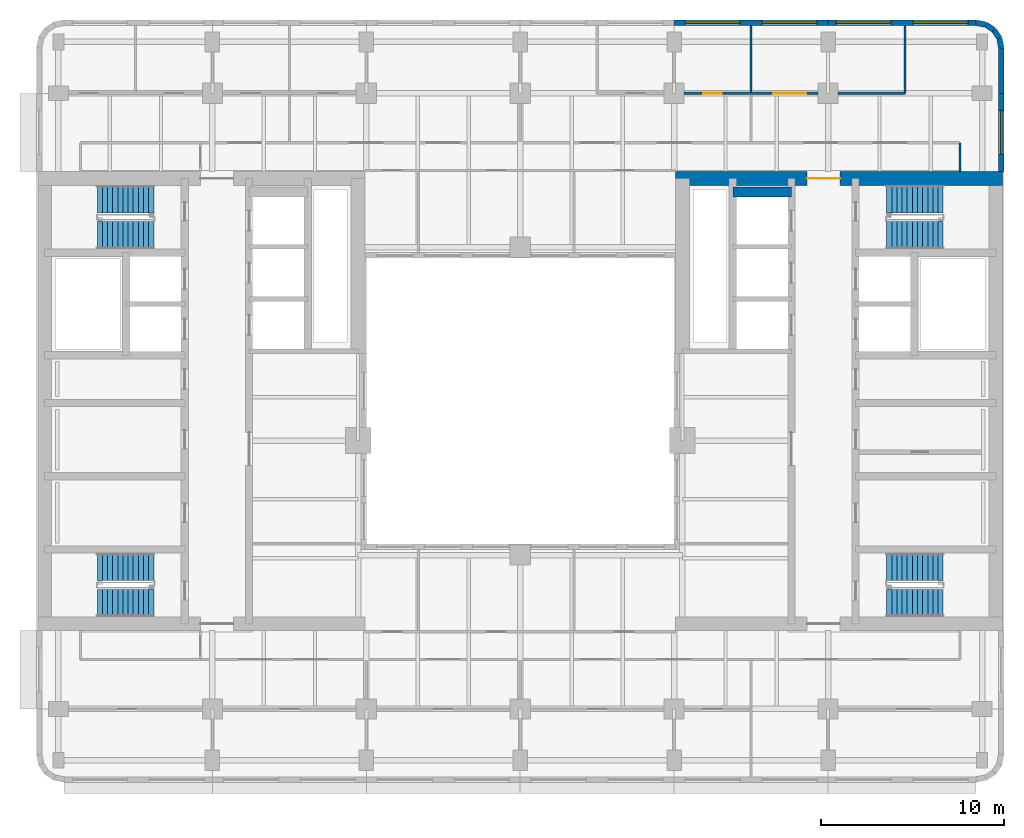
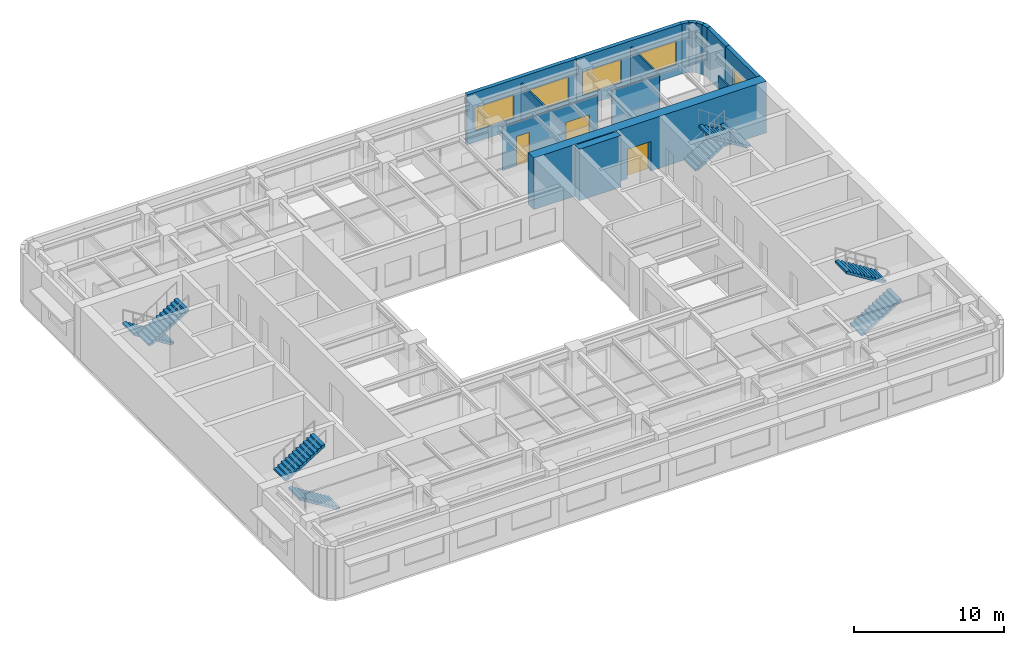
# One storey, part 8 of 11: 15 walls, 8 stair flights, 5 windows, 3 doors, 8 openings, 4 elements without a shape of their own.
"""IFC4 building model written with IfcOpenShell, lengths in metres."""

from ifc_helpers import new_model, si_unit, direction, frame, frame_2d, origin, place, context, subcontext, project, spatial, polyline, rectangle, outline, extrude, material, layer, layer_set, type_object, element, fill, aggregate, save


model = new_model("IFC4")

# Units and contexts
model_context = context("Model", 3, precision=1e-05, world=origin(), true_north=direction((0.0, 1.0)))
body_context = subcontext(model_context, "Body", "Model", "MODEL_VIEW")
ifc_project = project(units=[si_unit("LENGTHUNIT", "METRE"), si_unit("AREAUNIT", "SQUARE_METRE"), si_unit("VOLUMEUNIT", "CUBIC_METRE"), si_unit("PLANEANGLEUNIT", "RADIAN"), si_unit("MASSUNIT", "GRAM", prefix="KILO")], contexts=[model_context])

# Site, building, storey
site_placement = place(None, origin())
site = spatial("IfcSite", under=ifc_project, at=site_placement, CompositionType="ELEMENT")
building_placement = place(site_placement, origin())
building = spatial("IfcBuilding", under=site, at=building_placement, Name="Claustro Exchange Tower", CompositionType="ELEMENT")
storey_placement = place(building_placement, frame((0.0, 0.0, 219.60009765625)))
storey = spatial("IfcBuildingStorey", under=building, at=storey_placement, Name="L50", CompositionType="ELEMENT", Elevation=219.60009765625)

# Wall, openings, doors
ifc_material_1 = material(Name="Laminated glass in aluminium frame", Category="aluminium")
ifc_layer_1 = layer(ifc_material_1, 0.1201171875)
ifc_layer_set_1 = layer_set([ifc_layer_1], Name="Laminated glass in aluminium frame")
wall_type_1 = type_object("IfcWallType", Name="P2 120 glazed partition", PredefinedType="PARTITIONING", material=ifc_layer_set_1)
wall_1_placement = place(storey_placement, frame((34.14892578125, 42.0, 0.0), z_axis=(0.0, 0.0, 1.0), x_axis=(1.0, 0.0, 0.0)))
wall_1 = element("IfcWall", 1, at=wall_1_placement, inside=storey, type_object=wall_type_1, Name="Partition P2 L50", PredefinedType="PARTITIONING", context=body_context, shape_type="SweptSolid", body=[
    extrude(rectangle(XDim=7.302001953125, YDim=0.1201171875, at=frame_2d((3.65087890625, 0.0))), origin(), (0.0, 0.0, 1.0), 3.5498046875),
])
opening_1_placement = place(wall_1_placement, frame((1.051025390625, 0.0, 0.0)))
opening_1 = element("IfcOpeningElement", 2, at=opening_1_placement, cuts=wall_1, Name="Opening D7", PredefinedType="OPENING", context=body_context, shape_type="SweptSolid", body=[
    extrude(rectangle(XDim=1.0, YDim=2.39990234375, at=frame_2d((0.5, 1.199951171875))), frame((0.0, 0.070068359375, 0.0), z_axis=(0.0, -1.0, 0.0), x_axis=(1.0, 0.0, 0.0)), (0.0, 0.0, 1.0), 0.14013671875),
])
opening_2_placement = place(wall_1_placement, frame((4.85107421875, 0.0, 0.0)))
opening_2 = element("IfcOpeningElement", 3, at=opening_2_placement, cuts=wall_1, Name="Opening D2", PredefinedType="OPENING", context=body_context, shape_type="SweptSolid", body=[
    extrude(rectangle(XDim=1.800048828125, YDim=2.199951171875, at=frame_2d((0.89990234375, 1.10009765625))), frame((0.0, 0.070068359375, 0.0), z_axis=(0.0, -1.0, 0.0), x_axis=(1.0, 0.0, 0.0)), (0.0, 0.0, 1.0), 0.14013671875),
])
ifc_material_2 = material(Name="Timber door, oak veneer", Category="wood")
door_type_1 = type_object("IfcDoorType", Name="D2 1800 x 2200 double door", OperationType="DOUBLE_DOOR_SINGLE_SWING", PredefinedType="DOOR", material=ifc_material_2)
door_1_placement = place(opening_2_placement, origin())
door_1 = element("IfcDoor", 4, at=door_1_placement, inside=storey, type_object=door_type_1, Name="Double door D2 L50", OperationType="DOUBLE_DOOR_SINGLE_SWING", OverallHeight=2.199951171875, OverallWidth=1.800048828125, PredefinedType="DOOR", context=body_context, shape_type="SweptSolid", body=[
    extrude(rectangle(XDim=1.800048828125, YDim=2.199951171875, at=frame_2d((0.89990234375, 1.10009765625))), frame((0.0, 0.02490234375, 0.0), z_axis=(0.0, -1.0, 0.0), x_axis=(1.0, 0.0, 0.0)), (0.0, 0.0, 1.0), 0.050048828125),
])
fill(opening_2, door_1)
ifc_material_3 = material(Name="Glass door in aluminium frame", Category="aluminium")
door_type_2 = type_object("IfcDoorType", Name="D7 1000 x 2400 glazed door", OperationType="SINGLE_SWING_LEFT", PredefinedType="DOOR", material=ifc_material_3)
door_2_placement = place(opening_1_placement, origin())
door_2 = element("IfcDoor", 5, at=door_2_placement, inside=storey, type_object=door_type_2, Name="Door D7 L50", OperationType="SINGLE_SWING_RIGHT", OverallHeight=2.39990234375, OverallWidth=1.0, PredefinedType="DOOR", context=body_context, shape_type="SweptSolid", body=[
    extrude(rectangle(XDim=1.0, YDim=2.39990234375, at=frame_2d((0.5, 1.199951171875))), frame((0.0, 0.02490234375, 0.0), z_axis=(0.0, -1.0, 0.0), x_axis=(1.0, 0.0, 0.0)), (0.0, 0.0, 1.0), 0.050048828125),
])
fill(opening_1, door_2)

# Walls
wall_2_placement = place(storey_placement, frame((42.549072265625, 42.0, 0.0), z_axis=(0.0, 0.0, 1.0), x_axis=(1.0, 0.0, 0.0)))
element("IfcWall", 6, at=wall_2_placement, inside=storey, type_object=wall_type_1, Name="Partition P2 L50", PredefinedType="PARTITIONING", context=body_context, shape_type="SweptSolid", body=[
    extrude(rectangle(XDim=3.65087890625, YDim=0.1201171875, at=frame_2d((1.825439453125, 0.0))), origin(), (0.0, 0.0, 1.0), 3.5498046875),
])
wall_3_placement = place(storey_placement, frame((37.800048828125, 42.05810546875, 0.0), z_axis=(0.0, 0.0, 1.0), x_axis=(0.0, 1.0, 0.0)))
element("IfcWall", 7, at=wall_3_placement, inside=storey, type_object=wall_type_1, Name="Partition P2 L50", PredefinedType="PARTITIONING", context=body_context, shape_type="SweptSolid", body=[
    extrude(rectangle(XDim=3.643798828125, YDim=0.1201171875, at=frame_2d((1.82177734375, 0.0))), origin(), (0.0, 0.0, 1.0), 3.5498046875),
])
wall_4_placement = place(storey_placement, frame((46.199951171875, 42.0, 0.0), z_axis=(0.0, 0.0, 1.0), x_axis=(0.0, 1.0, 0.0)))
element("IfcWall", 8, at=wall_4_placement, inside=storey, type_object=wall_type_1, Name="Partition P2 L50", PredefinedType="PARTITIONING", context=body_context, shape_type="SweptSolid", body=[
    extrude(rectangle(XDim=3.701904296875, YDim=0.1201171875, at=frame_2d((1.85107421875, 0.0))), origin(), (0.0, 0.0, 1.0), 3.5498046875),
])
wall_5_placement = place(storey_placement, frame((49.199951171875, 37.72412109375, 0.0), z_axis=(0.0, 0.0, 1.0), x_axis=(0.0, 1.0, 0.0)))
element("IfcWall", 9, at=wall_5_placement, inside=storey, type_object=wall_type_1, Name="Partition P2 L50", PredefinedType="PARTITIONING", context=body_context, shape_type="SweptSolid", body=[
    extrude(rectangle(XDim=1.575927734375, YDim=0.1201171875, at=frame_2d((0.7880859375, 0.0))), origin(), (0.0, 0.0, 1.0), 4.0498046875),
])

# Wall, openings, windows
ifc_material_4 = material(Name="Concrete HA-40 (C40/50), precast, white cement, acid-etched", Category="concrete")
ifc_layer_2 = layer(ifc_material_4, 0.300048828125)
ifc_layer_set_2 = layer_set([ifc_layer_2], Name="Concrete HA-40 (C40/50), precast, white cement, acid-etched")
wall_type_2 = type_object("IfcWallType", Name="PC1 300 precast concrete pier panel", PredefinedType="SOLIDWALL", material=ifc_layer_set_2)
wall_6_placement = place(storey_placement, frame((33.60009765625, 45.85009765625, 0.0), z_axis=(0.0, 0.0, 1.0), x_axis=(1.0, 0.0, 0.0)))
wall_6 = element("IfcWall", 10, at=wall_6_placement, inside=storey, type_object=wall_type_2, Name="Precast pier panel PC1 L50", PredefinedType="SOLIDWALL", context=body_context, shape_type="SweptSolid", body=[
    extrude(rectangle(XDim=8.39990234375, YDim=0.300048828125, at=frame_2d((4.199951171875, 0.0))), origin(), (0.0, 0.0, 1.0), 4.0498046875),
])
opening_3_placement = place(wall_6_placement, frame((0.60009765625, 0.0, 0.89990234375)))
opening_3 = element("IfcOpeningElement", 11, at=opening_3_placement, cuts=wall_6, Name="Opening W1", PredefinedType="OPENING", context=body_context, shape_type="SweptSolid", body=[
    extrude(rectangle(XDim=3.0, YDim=1.89990234375, at=frame_2d((1.5, 0.949951171875))), frame((0.0, 0.159912109375, 0.0), z_axis=(0.0, -1.0, 0.0), x_axis=(1.0, 0.0, 0.0)), (0.0, 0.0, 1.0), 0.320068359375),
])
opening_4_placement = place(wall_6_placement, frame((4.800048828125, 0.0, 0.89990234375)))
opening_4 = element("IfcOpeningElement", 12, at=opening_4_placement, cuts=wall_6, Name="Opening W1", PredefinedType="OPENING", context=body_context, shape_type="SweptSolid", body=[
    extrude(rectangle(XDim=3.0, YDim=1.89990234375, at=frame_2d((1.5, 0.949951171875))), frame((0.0, 0.159912109375, 0.0), z_axis=(0.0, -1.0, 0.0), x_axis=(1.0, 0.0, 0.0)), (0.0, 0.0, 1.0), 0.320068359375),
])
ifc_material_5 = material(Name="Aluminium frame, clear double glazing", Category="aluminium")
window_type_1 = type_object("IfcWindowType", Name="W1 3000 x 1900 window", PartitioningType="SINGLE_PANEL", PredefinedType="WINDOW", material=ifc_material_5)
window_1_placement = place(opening_3_placement, origin())
window_1 = element("IfcWindow", 13, at=window_1_placement, inside=storey, type_object=window_type_1, Name="Window W1 L50", OverallHeight=1.89990234375, OverallWidth=3.0, PartitioningType="SINGLE_PANEL", PredefinedType="WINDOW", context=body_context, shape_type="SweptSolid", body=[
    extrude(rectangle(XDim=3.0, YDim=1.89990234375, at=frame_2d((1.5, 0.949951171875))), frame((0.0, 0.030029296875, 0.0), z_axis=(0.0, -1.0, 0.0), x_axis=(1.0, 0.0, 0.0)), (0.0, 0.0, 1.0), 0.06005859375),
])
fill(opening_3, window_1)
window_2_placement = place(opening_4_placement, origin())
window_2 = element("IfcWindow", 14, at=window_2_placement, inside=storey, type_object=window_type_1, Name="Window W1 L50", OverallHeight=1.89990234375, OverallWidth=3.0, PartitioningType="SINGLE_PANEL", PredefinedType="WINDOW", context=body_context, shape_type="SweptSolid", body=[
    extrude(rectangle(XDim=3.0, YDim=1.89990234375, at=frame_2d((1.5, 0.949951171875))), frame((0.0, 0.030029296875, 0.0), z_axis=(0.0, -1.0, 0.0), x_axis=(1.0, 0.0, 0.0)), (0.0, 0.0, 1.0), 0.06005859375),
])
fill(opening_4, window_2)

wall_7_placement = place(storey_placement, frame((42.0, 45.85009765625, 0.0), z_axis=(0.0, 0.0, 1.0), x_axis=(1.0, 0.0, 0.0)))
wall_7 = element("IfcWall", 15, at=wall_7_placement, inside=storey, type_object=wall_type_2, Name="Precast pier panel PC1 L50", PredefinedType="SOLIDWALL", context=body_context, shape_type="SweptSolid", body=[
    extrude(rectangle(XDim=8.085205078125, YDim=0.300048828125, at=frame_2d((4.04248046875, 0.0))), origin(), (0.0, 0.0, 1.0), 4.0498046875),
])
opening_5_placement = place(wall_7_placement, frame((0.442626953125, 0.0, 0.89990234375)))
opening_5 = element("IfcOpeningElement", 16, at=opening_5_placement, cuts=wall_7, Name="Opening W1", PredefinedType="OPENING", context=body_context, shape_type="SweptSolid", body=[
    extrude(rectangle(XDim=3.0, YDim=1.89990234375, at=frame_2d((1.5, 0.949951171875))), frame((0.0, 0.159912109375, 0.0), z_axis=(0.0, -1.0, 0.0), x_axis=(1.0, 0.0, 0.0)), (0.0, 0.0, 1.0), 0.320068359375),
])
opening_6_placement = place(wall_7_placement, frame((4.642578125, 0.0, 0.89990234375)))
opening_6 = element("IfcOpeningElement", 17, at=opening_6_placement, cuts=wall_7, Name="Opening W1", PredefinedType="OPENING", context=body_context, shape_type="SweptSolid", body=[
    extrude(rectangle(XDim=3.0, YDim=1.89990234375, at=frame_2d((1.5, 0.949951171875))), frame((0.0, 0.159912109375, 0.0), z_axis=(0.0, -1.0, 0.0), x_axis=(1.0, 0.0, 0.0)), (0.0, 0.0, 1.0), 0.320068359375),
])
window_3_placement = place(opening_5_placement, origin())
window_3 = element("IfcWindow", 18, at=window_3_placement, inside=storey, type_object=window_type_1, Name="Window W1 L50", OverallHeight=1.89990234375, OverallWidth=3.0, PartitioningType="SINGLE_PANEL", PredefinedType="WINDOW", context=body_context, shape_type="SweptSolid", body=[
    extrude(rectangle(XDim=3.0, YDim=1.89990234375, at=frame_2d((1.5, 0.949951171875))), frame((0.0, 0.030029296875, 0.0), z_axis=(0.0, -1.0, 0.0), x_axis=(1.0, 0.0, 0.0)), (0.0, 0.0, 1.0), 0.06005859375),
])
fill(opening_5, window_3)
window_4_placement = place(opening_6_placement, origin())
window_4 = element("IfcWindow", 19, at=window_4_placement, inside=storey, type_object=window_type_1, Name="Window W1 L50", OverallHeight=1.89990234375, OverallWidth=3.0, PartitioningType="SINGLE_PANEL", PredefinedType="WINDOW", context=body_context, shape_type="SweptSolid", body=[
    extrude(rectangle(XDim=3.0, YDim=1.89990234375, at=frame_2d((1.5, 0.949951171875))), frame((0.0, 0.030029296875, 0.0), z_axis=(0.0, -1.0, 0.0), x_axis=(1.0, 0.0, 0.0)), (0.0, 0.0, 1.0), 0.06005859375),
])
fill(opening_6, window_4)

# Walls
wall_8_placement = place(storey_placement, frame((50.085205078125, 45.85009765625, 0.0), z_axis=(0.0, 0.0, 1.0), x_axis=(0.980702050465, -0.1955082817, 0.0)))
element("IfcWall", 20, at=wall_8_placement, inside=storey, type_object=wall_type_2, Name="Precast pier panel PC1 L50", PredefinedType="SOLIDWALL", context=body_context, shape_type="SweptSolid", body=[
    extrude(rectangle(XDim=0.540771484375, YDim=0.300048828125, at=frame_2d((0.2705078125, 0.0))), origin(), (0.0, 0.0, 1.0), 4.0498046875),
])
wall_9_placement = place(storey_placement, frame((50.615478515625, 45.744384765625, 0.0), z_axis=(0.0, 0.0, 1.0), x_axis=(0.831692711774, -0.555236195849, 0.0)))
element("IfcWall", 21, at=wall_9_placement, inside=storey, type_object=wall_type_2, Name="Precast pier panel PC1 L50", PredefinedType="SOLIDWALL", context=body_context, shape_type="SweptSolid", body=[
    extrude(rectangle(XDim=0.525390625, YDim=0.300048828125, at=frame_2d((0.2626953125, 0.0))), origin(), (0.0, 0.0, 1.0), 4.0498046875),
])
wall_10_placement = place(storey_placement, frame((51.052490234375, 45.45263671875, 0.0), z_axis=(0.0, 0.0, 1.0), x_axis=(0.55534295404, -0.831621430339, 0.0)))
element("IfcWall", 22, at=wall_10_placement, inside=storey, type_object=wall_type_2, Name="Precast pier panel PC1 L50", PredefinedType="SOLIDWALL", context=body_context, shape_type="SweptSolid", body=[
    extrude(rectangle(XDim=0.52587890625, YDim=0.300048828125, at=frame_2d((0.262939453125, 0.0))), origin(), (0.0, 0.0, 1.0), 4.0498046875),
])
wall_11_placement = place(storey_placement, frame((51.344482421875, 45.015380859375, 0.0), z_axis=(0.0, 0.0, 1.0), x_axis=(0.195073962632, -0.980788534345, 0.0)))
element("IfcWall", 23, at=wall_11_placement, inside=storey, type_object=wall_type_2, Name="Precast pier panel PC1 L50", PredefinedType="SOLIDWALL", context=body_context, shape_type="SweptSolid", body=[
    extrude(rectangle(XDim=0.540771484375, YDim=0.300048828125, at=frame_2d((0.2705078125, 0.0))), origin(), (0.0, 0.0, 1.0), 4.0498046875),
])
wall_12_placement = place(storey_placement, frame((51.449951171875, 44.485107421875, 0.0), z_axis=(0.0, 0.0, 1.0), x_axis=(0.0, -1.0, 0.0)))
element("IfcWall", 24, at=wall_12_placement, inside=storey, type_object=wall_type_2, Name="Precast pier panel PC1 L50", PredefinedType="SOLIDWALL", context=body_context, shape_type="SweptSolid", body=[
    extrude(rectangle(XDim=2.485107421875, YDim=0.300048828125, at=frame_2d((1.24267578125, 0.0))), origin(), (0.0, 0.0, 1.0), 4.0498046875),
])

# Wall, opening, window
wall_13_placement = place(storey_placement, frame((51.449951171875, 42.0, 0.0), z_axis=(0.0, 0.0, 1.0), x_axis=(0.0, -1.0, 0.0)))
wall_13 = element("IfcWall", 25, at=wall_13_placement, inside=storey, type_object=wall_type_2, Name="Precast pier panel PC1 L50", PredefinedType="SOLIDWALL", context=body_context, shape_type="SweptSolid", body=[
    extrude(rectangle(XDim=4.27490234375, YDim=0.300048828125, at=frame_2d((2.137451171875, 0.0))), origin(), (0.0, 0.0, 1.0), 4.0498046875),
])
opening_7_placement = place(wall_13_placement, frame((0.9375, 0.0, 0.89990234375)))
opening_7 = element("IfcOpeningElement", 26, at=opening_7_placement, cuts=wall_13, Name="Opening W2", PredefinedType="OPENING", context=body_context, shape_type="SweptSolid", body=[
    extrude(rectangle(XDim=2.39990234375, YDim=1.89990234375, at=frame_2d((1.199951171875, 0.949951171875))), frame((0.0, 0.159912109375, 0.0), z_axis=(0.0, -1.0, 0.0), x_axis=(1.0, 0.0, 0.0)), (0.0, 0.0, 1.0), 0.320068359375),
])
ifc_material_6 = material(Name="Aluminium frame, clear double glazing", Category="aluminium")
window_type_2 = type_object("IfcWindowType", Name="W2 2400 x 1900 window", PartitioningType="SINGLE_PANEL", PredefinedType="WINDOW", material=ifc_material_6)
window_5_placement = place(opening_7_placement, origin())
window_5 = element("IfcWindow", 27, at=window_5_placement, inside=storey, type_object=window_type_2, Name="Window W2 L50", OverallHeight=1.89990234375, OverallWidth=2.39990234375, PartitioningType="SINGLE_PANEL", PredefinedType="WINDOW", context=body_context, shape_type="SweptSolid", body=[
    extrude(rectangle(XDim=2.39990234375, YDim=1.89990234375, at=frame_2d((1.199951171875, 0.949951171875))), frame((0.0, 0.030029296875, 0.0), z_axis=(0.0, -1.0, 0.0), x_axis=(1.0, 0.0, 0.0)), (0.0, 0.0, 1.0), 0.06005859375),
])
fill(opening_7, window_5)

# Wall, opening, door
ifc_material_7 = material(Name="Concrete HA-70 (C70/85)", Category="concrete")
ifc_layer_3 = layer(ifc_material_7, 0.75)
ifc_layer_set_3 = layer_set([ifc_layer_3], Name="Concrete HA-70 (C70/85)")
wall_type_3 = type_object("IfcWallType", Name="SW2 750 core shear wall", PredefinedType="SHEAR", material=ifc_layer_set_3)
wall_14_placement = place(storey_placement, frame((33.675048828125, 37.35009765625, 0.0), z_axis=(0.0, 0.0, 1.0), x_axis=(1.0, 0.0, 0.0)))
wall_14 = element("IfcWall", 28, at=wall_14_placement, inside=storey, type_object=wall_type_3, Name="Core wall SW2 E core N face L50", PredefinedType="SHEAR", context=body_context, shape_type="SweptSolid", body=[
    extrude(rectangle(XDim=17.849853515625, YDim=0.75, at=frame_2d((8.9248046875, 0.0))), origin(), (0.0, 0.0, 1.0), 4.199951171875),
])
opening_8_placement = place(wall_14_placement, frame((7.175048828125, 0.0, 0.0)))
opening_8 = element("IfcOpeningElement", 29, at=opening_8_placement, cuts=wall_14, Name="Opening D3", PredefinedType="OPENING", context=body_context, shape_type="SweptSolid", body=[
    extrude(rectangle(XDim=1.800048828125, YDim=2.39990234375, at=frame_2d((0.89990234375, 1.199951171875))), frame((0.0, 0.385009765625, 0.0), z_axis=(0.0, -1.0, 0.0), x_axis=(1.0, 0.0, 0.0)), (0.0, 0.0, 1.0), 0.77001953125),
])
ifc_material_8 = material(Name="Steel fire door, painted", Category="steel")
door_type_3 = type_object("IfcDoorType", Name="D3 1800 x 2400 fire-rated lobby double door", OperationType="DOUBLE_DOOR_SINGLE_SWING", PredefinedType="DOOR", material=ifc_material_8)
door_3_placement = place(opening_8_placement, frame((1.800048828125, 0.0, 0.0), z_axis=(0.0, 0.0, 1.0), x_axis=(-1.0, 0.0, 0.0)))
door_3 = element("IfcDoor", 30, at=door_3_placement, inside=storey, type_object=door_type_3, Name="Lift lobby door D3 L50", OperationType="DOUBLE_DOOR_SINGLE_SWING", OverallHeight=2.39990234375, OverallWidth=1.800048828125, PredefinedType="DOOR", context=body_context, shape_type="SweptSolid", body=[
    extrude(rectangle(XDim=1.800048828125, YDim=2.39990234375, at=frame_2d((0.89990234375, 1.199951171875))), frame((0.0, 0.02490234375, 0.0), z_axis=(0.0, -1.0, 0.0), x_axis=(1.0, 0.0, 0.0)), (0.0, 0.0, 1.0), 0.050048828125),
])
fill(opening_8, door_3)

# Wall
ifc_material_9 = material(Name="Concrete HA-50 (C50/60)", Category="concrete")
ifc_layer_4 = layer(ifc_material_9, 0.550048828125)
ifc_layer_set_4 = layer_set([ifc_layer_4], Name="Concrete HA-50 (C50/60)")
wall_type_4 = type_object("IfcWallType", Name="SW6 550 lift shaft end wall", PredefinedType="SHEAR", material=ifc_layer_set_4)
wall_15_placement = place(storey_placement, frame((40.0, 36.625, 0.0), z_axis=(0.0, 0.0, 1.0), x_axis=(-1.0, 0.0, 0.0)))
element("IfcWall", 31, at=wall_15_placement, inside=storey, type_object=wall_type_4, Name="Lift shaft wall E core L50", PredefinedType="SHEAR", context=body_context, shape_type="SweptSolid", body=[
    extrude(rectangle(XDim=3.199951171875, YDim=0.550048828125, at=frame_2d((1.60009765625, 0.0))), origin(), (0.0, 0.0, 1.0), 4.199951171875),
])

# Stair, stair flights
ifc_material_10 = material(Name="Concrete HA-30 (C30/37), precast", Category="concrete")
stair_type = type_object("IfcStairType", Name="ST1 half-turn stair, 24 risers of 175", PredefinedType="HALF_TURN_STAIR", material=ifc_material_10)
stair_1_placement = place(storey_placement, origin())
stair_1 = element("IfcStair", 32, at=stair_1_placement, inside=storey, type_object=stair_type, Name="Stair STWA L50", PredefinedType="HALF_TURN_STAIR")
ifc_material_11 = material(Name="Concrete HA-30 (C30/37), precast", Category="concrete")
stair_flight_type = type_object("IfcStairFlightType", Name="SF12A straight flight, 12 risers of 175, 1500 wide", PredefinedType="STRAIGHT", material=ifc_material_11)
stair_flight_1_placement = place(storey_placement, frame((5.199951171875, 14.175048828125, 0.0), z_axis=(0.0, 0.0, 1.0), x_axis=(-1.0, 0.0, 0.0)))
stair_flight_1 = element("IfcStairFlight", 33, at=stair_flight_1_placement, type_object=stair_flight_type, Name="STWA flight 1", NumberOfRisers=12, NumberOfTreads=11, PredefinedType="STRAIGHT", RiserHeight=0.175, TreadLength=0.28, context=body_context, shape_type="SweptSolid", body=[
    extrude(outline(polyline([(0.0, 0.0), (0.0, 0.175048828125), (0.280029296875, 0.175048828125), (0.280029296875, 0.35009765625), (0.56005859375, 0.35009765625), (0.56005859375, 0.52490234375), (0.840087890625, 0.52490234375), (0.840087890625, 0.699951171875), (1.1201171875, 0.699951171875), (1.1201171875, 0.875), (1.39990234375, 0.875), (1.39990234375, 1.050048828125), (1.679931640625, 1.050048828125), (1.679931640625, 1.22509765625), (1.9599609375, 1.22509765625), (1.9599609375, 1.39990234375), (2.239990234375, 1.39990234375), (2.239990234375, 1.574951171875), (2.52001953125, 1.574951171875), (2.52001953125, 1.75), (2.800048828125, 1.75), (2.800048828125, 1.925048828125), (3.080078125, 1.925048828125), (3.080078125, 2.10009765625), (3.080078125, 1.748291015625), (0.28271484375, 0.0), (0.0, 0.0)])), frame((0.0, 0.75, 0.0), z_axis=(0.0, -1.0, 0.0), x_axis=(1.0, 0.0, 0.0)), (0.0, 0.0, 1.0), 1.5),
])
stair_flight_2_placement = place(storey_placement, frame((2.1201171875, 16.14990234375, 2.099853515625), z_axis=(0.0, 0.0, 1.0), x_axis=(1.0, 0.0, 0.0)))
stair_flight_2 = element("IfcStairFlight", 34, at=stair_flight_2_placement, type_object=stair_flight_type, Name="STWA flight 2", NumberOfRisers=12, NumberOfTreads=11, PredefinedType="STRAIGHT", RiserHeight=0.175, TreadLength=0.28, context=body_context, shape_type="SweptSolid", body=[
    extrude(outline(polyline([(0.0, 0.0), (0.0, 0.175048828125), (0.280029296875, 0.175048828125), (0.280029296875, 0.35009765625), (0.56005859375, 0.35009765625), (0.56005859375, 0.52490234375), (0.840087890625, 0.52490234375), (0.840087890625, 0.699951171875), (1.1201171875, 0.699951171875), (1.1201171875, 0.875), (1.39990234375, 0.875), (1.39990234375, 1.050048828125), (1.679931640625, 1.050048828125), (1.679931640625, 1.22509765625), (1.9599609375, 1.22509765625), (1.9599609375, 1.39990234375), (2.239990234375, 1.39990234375), (2.239990234375, 1.574951171875), (2.52001953125, 1.574951171875), (2.52001953125, 1.75), (2.800048828125, 1.75), (2.800048828125, 1.925048828125), (3.080078125, 1.925048828125), (3.080078125, 2.10009765625), (3.080078125, 1.748291015625), (0.28271484375, 0.0), (0.0, 0.0)])), frame((0.0, 0.75, 0.0), z_axis=(0.0, -1.0, 0.0), x_axis=(1.0, 0.0, 0.0)), (0.0, 0.0, 1.0), 1.5),
])
aggregate(stair_1, [stair_flight_1, stair_flight_2])

stair_2_placement = place(storey_placement, origin())
stair_2 = element("IfcStair", 35, at=stair_2_placement, inside=storey, type_object=stair_type, Name="Stair STWB L50", PredefinedType="HALF_TURN_STAIR")
stair_flight_3_placement = place(storey_placement, frame((5.199951171875, 36.22509765625, 0.0), z_axis=(0.0, 0.0, 1.0), x_axis=(-1.0, 0.0, 0.0)))
stair_flight_3 = element("IfcStairFlight", 36, at=stair_flight_3_placement, type_object=stair_flight_type, Name="STWB flight 1", NumberOfRisers=12, NumberOfTreads=11, PredefinedType="STRAIGHT", RiserHeight=0.175, TreadLength=0.28, context=body_context, shape_type="SweptSolid", body=[
    extrude(outline(polyline([(0.0, 0.0), (0.0, 0.175048828125), (0.280029296875, 0.175048828125), (0.280029296875, 0.35009765625), (0.56005859375, 0.35009765625), (0.56005859375, 0.52490234375), (0.840087890625, 0.52490234375), (0.840087890625, 0.699951171875), (1.1201171875, 0.699951171875), (1.1201171875, 0.875), (1.39990234375, 0.875), (1.39990234375, 1.050048828125), (1.679931640625, 1.050048828125), (1.679931640625, 1.22509765625), (1.9599609375, 1.22509765625), (1.9599609375, 1.39990234375), (2.239990234375, 1.39990234375), (2.239990234375, 1.574951171875), (2.52001953125, 1.574951171875), (2.52001953125, 1.75), (2.800048828125, 1.75), (2.800048828125, 1.925048828125), (3.080078125, 1.925048828125), (3.080078125, 2.10009765625), (3.080078125, 1.748291015625), (0.28271484375, 0.0), (0.0, 0.0)])), frame((0.0, 0.75, 0.0), z_axis=(0.0, -1.0, 0.0), x_axis=(1.0, 0.0, 0.0)), (0.0, 0.0, 1.0), 1.5),
])
stair_flight_4_placement = place(storey_placement, frame((2.1201171875, 34.25, 2.099853515625), z_axis=(0.0, 0.0, 1.0), x_axis=(1.0, 0.0, 0.0)))
stair_flight_4 = element("IfcStairFlight", 37, at=stair_flight_4_placement, type_object=stair_flight_type, Name="STWB flight 2", NumberOfRisers=12, NumberOfTreads=11, PredefinedType="STRAIGHT", RiserHeight=0.175, TreadLength=0.28, context=body_context, shape_type="SweptSolid", body=[
    extrude(outline(polyline([(0.0, 0.0), (0.0, 0.175048828125), (0.280029296875, 0.175048828125), (0.280029296875, 0.35009765625), (0.56005859375, 0.35009765625), (0.56005859375, 0.52490234375), (0.840087890625, 0.52490234375), (0.840087890625, 0.699951171875), (1.1201171875, 0.699951171875), (1.1201171875, 0.875), (1.39990234375, 0.875), (1.39990234375, 1.050048828125), (1.679931640625, 1.050048828125), (1.679931640625, 1.22509765625), (1.9599609375, 1.22509765625), (1.9599609375, 1.39990234375), (2.239990234375, 1.39990234375), (2.239990234375, 1.574951171875), (2.52001953125, 1.574951171875), (2.52001953125, 1.75), (2.800048828125, 1.75), (2.800048828125, 1.925048828125), (3.080078125, 1.925048828125), (3.080078125, 2.10009765625), (3.080078125, 1.748291015625), (0.28271484375, 0.0), (0.0, 0.0)])), frame((0.0, 0.75, 0.0), z_axis=(0.0, -1.0, 0.0), x_axis=(1.0, 0.0, 0.0)), (0.0, 0.0, 1.0), 1.5),
])
aggregate(stair_2, [stair_flight_3, stair_flight_4])

stair_3_placement = place(storey_placement, origin())
stair_3 = element("IfcStair", 38, at=stair_3_placement, inside=storey, type_object=stair_type, Name="Stair STEA L50", PredefinedType="HALF_TURN_STAIR")
stair_flight_5_placement = place(storey_placement, frame((45.199951171875, 14.175048828125, 0.0), z_axis=(0.0, 0.0, 1.0), x_axis=(1.0, 0.0, 0.0)))
stair_flight_5 = element("IfcStairFlight", 39, at=stair_flight_5_placement, type_object=stair_flight_type, Name="STEA flight 1", NumberOfRisers=12, NumberOfTreads=11, PredefinedType="STRAIGHT", RiserHeight=0.175, TreadLength=0.28, context=body_context, shape_type="SweptSolid", body=[
    extrude(outline(polyline([(0.0, 0.0), (0.0, 0.175048828125), (0.280029296875, 0.175048828125), (0.280029296875, 0.35009765625), (0.56005859375, 0.35009765625), (0.56005859375, 0.52490234375), (0.840087890625, 0.52490234375), (0.840087890625, 0.699951171875), (1.1201171875, 0.699951171875), (1.1201171875, 0.875), (1.39990234375, 0.875), (1.39990234375, 1.050048828125), (1.679931640625, 1.050048828125), (1.679931640625, 1.22509765625), (1.9599609375, 1.22509765625), (1.9599609375, 1.39990234375), (2.239990234375, 1.39990234375), (2.239990234375, 1.574951171875), (2.52001953125, 1.574951171875), (2.52001953125, 1.75), (2.800048828125, 1.75), (2.800048828125, 1.925048828125), (3.080078125, 1.925048828125), (3.080078125, 2.10009765625), (3.080078125, 1.748291015625), (0.28271484375, 0.0), (0.0, 0.0)])), frame((0.0, 0.75, 0.0), z_axis=(0.0, -1.0, 0.0), x_axis=(1.0, 0.0, 0.0)), (0.0, 0.0, 1.0), 1.5),
])
stair_flight_6_placement = place(storey_placement, frame((48.280029296875, 16.14990234375, 2.099853515625), z_axis=(0.0, 0.0, 1.0), x_axis=(-1.0, 0.0, 0.0)))
stair_flight_6 = element("IfcStairFlight", 40, at=stair_flight_6_placement, type_object=stair_flight_type, Name="STEA flight 2", NumberOfRisers=12, NumberOfTreads=11, PredefinedType="STRAIGHT", RiserHeight=0.175, TreadLength=0.28, context=body_context, shape_type="SweptSolid", body=[
    extrude(outline(polyline([(0.0, 0.0), (0.0, 0.175048828125), (0.280029296875, 0.175048828125), (0.280029296875, 0.35009765625), (0.56005859375, 0.35009765625), (0.56005859375, 0.52490234375), (0.840087890625, 0.52490234375), (0.840087890625, 0.699951171875), (1.1201171875, 0.699951171875), (1.1201171875, 0.875), (1.39990234375, 0.875), (1.39990234375, 1.050048828125), (1.679931640625, 1.050048828125), (1.679931640625, 1.22509765625), (1.9599609375, 1.22509765625), (1.9599609375, 1.39990234375), (2.239990234375, 1.39990234375), (2.239990234375, 1.574951171875), (2.52001953125, 1.574951171875), (2.52001953125, 1.75), (2.800048828125, 1.75), (2.800048828125, 1.925048828125), (3.080078125, 1.925048828125), (3.080078125, 2.10009765625), (3.080078125, 1.748291015625), (0.28271484375, 0.0), (0.0, 0.0)])), frame((0.0, 0.75, 0.0), z_axis=(0.0, -1.0, 0.0), x_axis=(1.0, 0.0, 0.0)), (0.0, 0.0, 1.0), 1.5),
])
aggregate(stair_3, [stair_flight_5, stair_flight_6])

stair_4_placement = place(storey_placement, origin())
stair_4 = element("IfcStair", 41, at=stair_4_placement, inside=storey, type_object=stair_type, Name="Stair STEB L50", PredefinedType="HALF_TURN_STAIR")
stair_flight_7_placement = place(storey_placement, frame((45.199951171875, 36.22509765625, 0.0), z_axis=(0.0, 0.0, 1.0), x_axis=(1.0, 0.0, 0.0)))
stair_flight_7 = element("IfcStairFlight", 42, at=stair_flight_7_placement, type_object=stair_flight_type, Name="STEB flight 1", NumberOfRisers=12, NumberOfTreads=11, PredefinedType="STRAIGHT", RiserHeight=0.175, TreadLength=0.28, context=body_context, shape_type="SweptSolid", body=[
    extrude(outline(polyline([(0.0, 0.0), (0.0, 0.175048828125), (0.280029296875, 0.175048828125), (0.280029296875, 0.35009765625), (0.56005859375, 0.35009765625), (0.56005859375, 0.52490234375), (0.840087890625, 0.52490234375), (0.840087890625, 0.699951171875), (1.1201171875, 0.699951171875), (1.1201171875, 0.875), (1.39990234375, 0.875), (1.39990234375, 1.050048828125), (1.679931640625, 1.050048828125), (1.679931640625, 1.22509765625), (1.9599609375, 1.22509765625), (1.9599609375, 1.39990234375), (2.239990234375, 1.39990234375), (2.239990234375, 1.574951171875), (2.52001953125, 1.574951171875), (2.52001953125, 1.75), (2.800048828125, 1.75), (2.800048828125, 1.925048828125), (3.080078125, 1.925048828125), (3.080078125, 2.10009765625), (3.080078125, 1.748291015625), (0.28271484375, 0.0), (0.0, 0.0)])), frame((0.0, 0.75, 0.0), z_axis=(0.0, -1.0, 0.0), x_axis=(1.0, 0.0, 0.0)), (0.0, 0.0, 1.0), 1.5),
])
stair_flight_8_placement = place(storey_placement, frame((48.280029296875, 34.25, 2.099853515625), z_axis=(0.0, 0.0, 1.0), x_axis=(-1.0, 0.0, 0.0)))
stair_flight_8 = element("IfcStairFlight", 43, at=stair_flight_8_placement, type_object=stair_flight_type, Name="STEB flight 2", NumberOfRisers=12, NumberOfTreads=11, PredefinedType="STRAIGHT", RiserHeight=0.175, TreadLength=0.28, context=body_context, shape_type="SweptSolid", body=[
    extrude(outline(polyline([(0.0, 0.0), (0.0, 0.175048828125), (0.280029296875, 0.175048828125), (0.280029296875, 0.35009765625), (0.56005859375, 0.35009765625), (0.56005859375, 0.52490234375), (0.840087890625, 0.52490234375), (0.840087890625, 0.699951171875), (1.1201171875, 0.699951171875), (1.1201171875, 0.875), (1.39990234375, 0.875), (1.39990234375, 1.050048828125), (1.679931640625, 1.050048828125), (1.679931640625, 1.22509765625), (1.9599609375, 1.22509765625), (1.9599609375, 1.39990234375), (2.239990234375, 1.39990234375), (2.239990234375, 1.574951171875), (2.52001953125, 1.574951171875), (2.52001953125, 1.75), (2.800048828125, 1.75), (2.800048828125, 1.925048828125), (3.080078125, 1.925048828125), (3.080078125, 2.10009765625), (3.080078125, 1.748291015625), (0.28271484375, 0.0), (0.0, 0.0)])), frame((0.0, 0.75, 0.0), z_axis=(0.0, -1.0, 0.0), x_axis=(1.0, 0.0, 0.0)), (0.0, 0.0, 1.0), 1.5),
])
aggregate(stair_4, [stair_flight_7, stair_flight_8])

save(model, "model.ifc")
